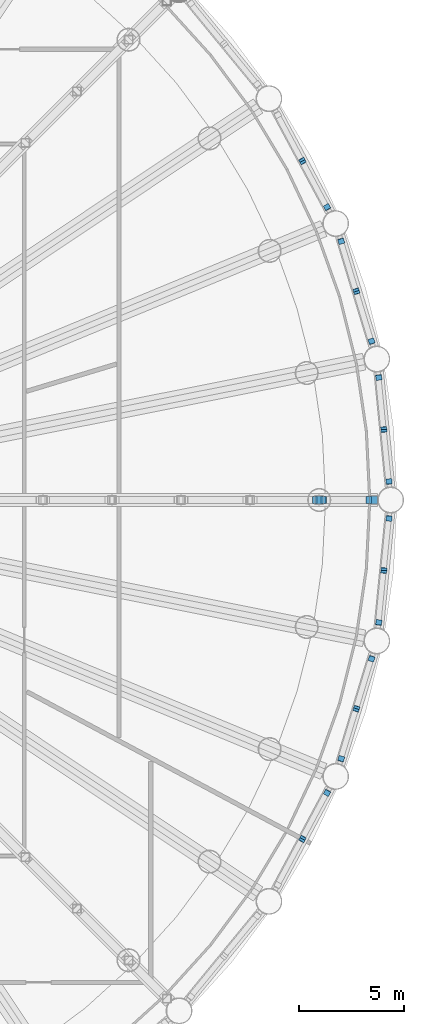
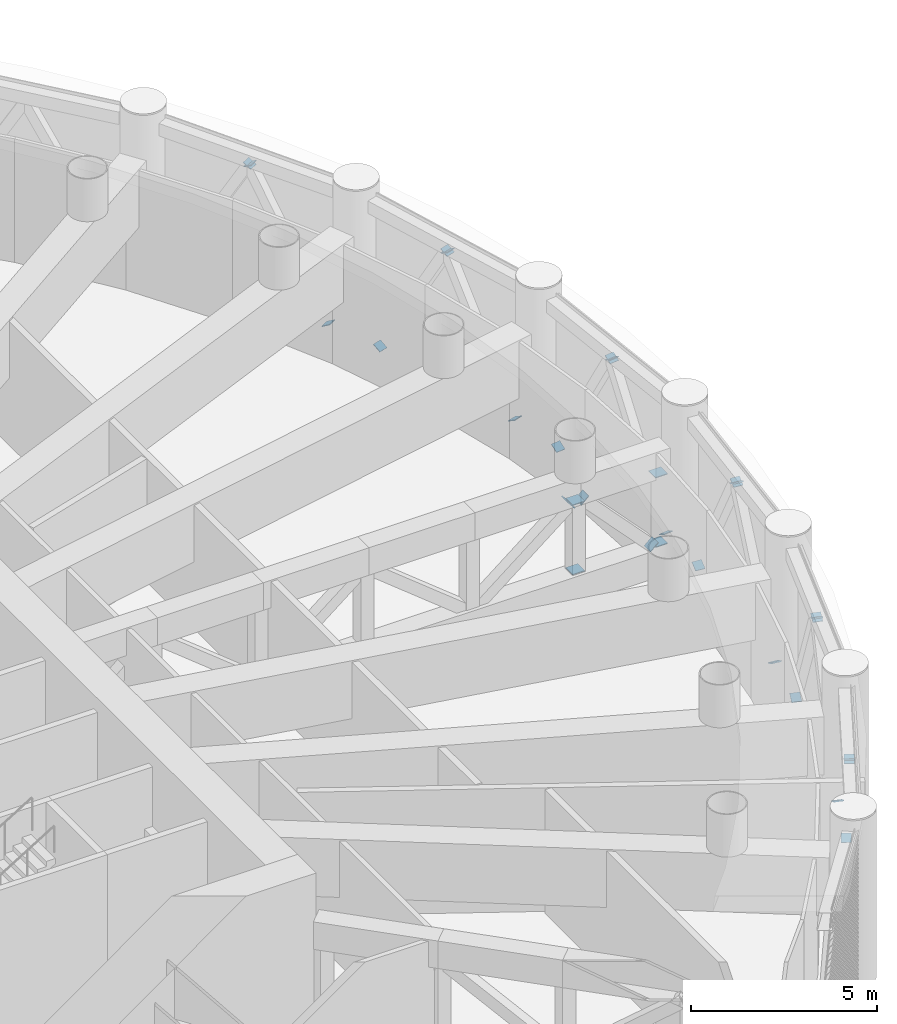
# One storey, part 20 of 29: 29 discrete accessories.
"""IFC4 building model written with IfcOpenShell, lengths in metres."""

from ifc_helpers import new_model, si_unit, direction, frame, origin, origin_2d, place, context, subcontext, project, spatial, rectangle, extrude, material, material_profile, profile_set, type_object, element, save


model = new_model("IFC4")

# Units and contexts
model_context = context("Model", 3, precision=1e-05, world=origin(), true_north=direction((0.0, 1.0)))
body_context = subcontext(model_context, "Body", "Model", "MODEL_VIEW")
ifc_project = project(units=[si_unit("LENGTHUNIT", "METRE"), si_unit("AREAUNIT", "SQUARE_METRE"), si_unit("VOLUMEUNIT", "CUBIC_METRE"), si_unit("PLANEANGLEUNIT", "RADIAN"), si_unit("MASSUNIT", "GRAM", prefix="KILO")], contexts=[model_context])

# Site, building, storey
site_placement = place(None, origin())
site = spatial("IfcSite", under=ifc_project, at=site_placement, CompositionType="ELEMENT")
building_placement = place(site_placement, origin())
building = spatial("IfcBuilding", under=site, at=building_placement, Name="Corvane Civic Tower", CompositionType="ELEMENT")
storey_placement = place(building_placement, frame((0.0, 0.0, 138.5)))
storey = spatial("IfcBuildingStorey", under=building, at=storey_placement, Name="L32", CompositionType="ELEMENT", Elevation=138.5)

# Discrete accessories
ifc_material_1 = material(Name="Steel ASTM A572 Gr 50", Category="steel")
ifc_material_profile_1 = material_profile(ifc_material_1, rectangle(XDim=0.2802734375, YDim=0.2802734375, at=origin_2d()), Name="GUSSET PLATE 25 IN HSS12X12X1/2")
ifc_profile_set_1 = profile_set([ifc_material_profile_1], Name="Steel ASTM A572 Gr 50")
discrete_accessory_type_1 = type_object("IfcDiscreteAccessoryType", Name="GUSSET PLATE 25 IN HSS12X12X1/2", PredefinedType="BRACKET", material=ifc_profile_set_1)
discrete_accessory_1_placement = place(storey_placement, frame((30.104248046875, 16.091064453125, 4.74365234375), z_axis=(-0.233971033255, 0.438695687352, -0.867642581652), x_axis=(-0.882352941176, -0.470588235294, 0.0)))
element("IfcDiscreteAccessory", 1, at=discrete_accessory_1_placement, inside=storey, type_object=discrete_accessory_type_1, Name="Gusset plate BD1 end B", PredefinedType="BRACKET", context=body_context, shape_type="SweptSolid", body=[
    extrude(rectangle(XDim=0.2802734375, YDim=0.2802734375, at=origin_2d()), origin(), (0.0, 0.0, 1.0), 0.025146484375),
])
discrete_accessory_2_placement = place(storey_placement, frame((31.276611328125, 13.897705078125, 0.406494140625), z_axis=(-0.2359641329, 0.442432749188, 0.865201820635), x_axis=(-0.882352941176, -0.470588235294, 0.0)))
element("IfcDiscreteAccessory", 2, at=discrete_accessory_2_placement, inside=storey, type_object=discrete_accessory_type_1, Name="Gusset plate BD1 end A", PredefinedType="BRACKET", context=body_context, shape_type="SweptSolid", body=[
    extrude(rectangle(XDim=0.2802734375, YDim=0.2802734375, at=origin_2d()), origin(), (0.0, 0.0, 1.0), 0.02490234375),
])
discrete_accessory_3_placement = place(storey_placement, frame((30.104248046875, 16.091064453125, 4.74365234375), z_axis=(0.233971033255, -0.438695687352, -0.867642581652), x_axis=(0.882352941176, 0.470588235294, 0.0)))
element("IfcDiscreteAccessory", 3, at=discrete_accessory_3_placement, inside=storey, type_object=discrete_accessory_type_1, Name="Gusset plate BD1 end B", PredefinedType="BRACKET", context=body_context, shape_type="SweptSolid", body=[
    extrude(rectangle(XDim=0.2802734375, YDim=0.2802734375, at=origin_2d()), origin(), (0.0, 0.0, 1.0), 0.025146484375),
])
discrete_accessory_4_placement = place(storey_placement, frame((31.94287109375, 12.28857421875, 0.406494140625), z_axis=(0.147993491061, -0.473579171394, 0.868228480888), x_axis=(0.954479978035, 0.298274993136, 0.0)))
element("IfcDiscreteAccessory", 4, at=discrete_accessory_4_placement, inside=storey, type_object=discrete_accessory_type_1, Name="Gusset plate BD1 end A", PredefinedType="BRACKET", context=body_context, shape_type="SweptSolid", body=[
    extrude(rectangle(XDim=0.2802734375, YDim=0.2802734375, at=origin_2d()), origin(), (0.0, 0.0, 1.0), 0.024658203125),
])
discrete_accessory_5_placement = place(storey_placement, frame((32.6650390625, 9.90869140625, 4.74365234375), z_axis=(-0.146058483139, 0.477124378254, -0.866613666624), x_axis=(-0.956199955507, -0.292714272094, 0.0)))
element("IfcDiscreteAccessory", 5, at=discrete_accessory_5_placement, inside=storey, type_object=discrete_accessory_type_1, Name="Gusset plate BD1 end B", PredefinedType="BRACKET", context=body_context, shape_type="SweptSolid", body=[
    extrude(rectangle(XDim=0.2802734375, YDim=0.2802734375, at=origin_2d()), origin(), (0.0, 0.0, 1.0), 0.025146484375),
])
discrete_accessory_6_placement = place(storey_placement, frame((33.386962890625, 7.529052734375, 0.406494140625), z_axis=(-0.147993491061, 0.473579171394, 0.868228480888), x_axis=(-0.954479978035, -0.298274993136, 0.0)))
element("IfcDiscreteAccessory", 6, at=discrete_accessory_6_placement, inside=storey, type_object=discrete_accessory_type_1, Name="Gusset plate BD1 end A", PredefinedType="BRACKET", context=body_context, shape_type="SweptSolid", body=[
    extrude(rectangle(XDim=0.2802734375, YDim=0.2802734375, at=origin_2d()), origin(), (0.0, 0.0, 1.0), 0.024658203125),
])
discrete_accessory_7_placement = place(storey_placement, frame((32.6650390625, 9.90869140625, 4.74365234375), z_axis=(0.137142902838, -0.470204238302, -0.871837025185), x_axis=(0.96, 0.28, 0.0)))
element("IfcDiscreteAccessory", 7, at=discrete_accessory_7_placement, inside=storey, type_object=discrete_accessory_type_1, Name="Gusset plate BD1 end B", PredefinedType="BRACKET", context=body_context, shape_type="SweptSolid", body=[
    extrude(rectangle(XDim=0.2802734375, YDim=0.2802734375, at=origin_2d()), origin(), (0.0, 0.0, 1.0), 0.02490234375),
])
discrete_accessory_8_placement = place(storey_placement, frame((33.7265625, 5.82080078125, 0.406494140625), z_axis=(0.049340770535, -0.493407705348, 0.868397561412), x_axis=(0.99503719021, 0.099503719021, 0.0)))
element("IfcDiscreteAccessory", 8, at=discrete_accessory_8_placement, inside=storey, type_object=discrete_accessory_type_1, Name="Gusset plate BD1 end A", PredefinedType="BRACKET", context=body_context, shape_type="SweptSolid", body=[
    extrude(rectangle(XDim=0.2802734375, YDim=0.2802734375, at=origin_2d()), origin(), (0.0, 0.0, 1.0), 0.024658203125),
])
discrete_accessory_9_placement = place(storey_placement, frame((33.970458984375, 3.345947265625, 4.74365234375), z_axis=(-0.048920962564, 0.489209625642, -0.870793133643), x_axis=(-0.99503719021, -0.099503719021, 0.0)))
element("IfcDiscreteAccessory", 9, at=discrete_accessory_9_placement, inside=storey, type_object=discrete_accessory_type_1, Name="Gusset plate BD1 end B", PredefinedType="BRACKET", context=body_context, shape_type="SweptSolid", body=[
    extrude(rectangle(XDim=0.2802734375, YDim=0.2802734375, at=origin_2d()), origin(), (0.0, 0.0, 1.0), 0.02490234375),
])
discrete_accessory_10_placement = place(storey_placement, frame((34.21435546875, 0.870849609375, 0.406494140625), z_axis=(-0.049340770535, 0.493407705348, 0.868397561412), x_axis=(-0.99503719021, -0.099503719021, 0.0)))
element("IfcDiscreteAccessory", 10, at=discrete_accessory_10_placement, inside=storey, type_object=discrete_accessory_type_1, Name="Gusset plate BD1 end A", PredefinedType="BRACKET", context=body_context, shape_type="SweptSolid", body=[
    extrude(rectangle(XDim=0.2802734375, YDim=0.2802734375, at=origin_2d()), origin(), (0.0, 0.0, 1.0), 0.024658203125),
])
discrete_accessory_11_placement = place(storey_placement, frame((33.970458984375, 3.345947265625, 4.74365234375), z_axis=(0.048686161046, -0.496598842672, -0.866613666624), x_axis=(0.99522852512, 0.097571424031, 0.0)))
element("IfcDiscreteAccessory", 11, at=discrete_accessory_11_placement, inside=storey, type_object=discrete_accessory_type_1, Name="Gusset plate BD1 end B", PredefinedType="BRACKET", context=body_context, shape_type="SweptSolid", body=[
    extrude(rectangle(XDim=0.2802734375, YDim=0.2802734375, at=origin_2d()), origin(), (0.0, 0.0, 1.0), 0.025146484375),
])
discrete_accessory_12_placement = place(storey_placement, frame((34.21435546875, -0.870849609375, 0.406494140625), z_axis=(-0.049340770535, -0.493407705348, 0.868397561412), x_axis=(0.99503719021, -0.099503719021, 0.0)))
element("IfcDiscreteAccessory", 12, at=discrete_accessory_12_placement, inside=storey, type_object=discrete_accessory_type_1, Name="Gusset plate BD1 end A", PredefinedType="BRACKET", context=body_context, shape_type="SweptSolid", body=[
    extrude(rectangle(XDim=0.2802734375, YDim=0.2802734375, at=origin_2d()), origin(), (0.0, 0.0, 1.0), 0.024658203125),
])
discrete_accessory_13_placement = place(storey_placement, frame((33.970458984375, -3.345947265625, 4.74365234375), z_axis=(0.048686161046, 0.496598842672, -0.866613666624), x_axis=(-0.99522852512, 0.097571424031, 0.0)))
element("IfcDiscreteAccessory", 13, at=discrete_accessory_13_placement, inside=storey, type_object=discrete_accessory_type_1, Name="Gusset plate BD1 end B", PredefinedType="BRACKET", context=body_context, shape_type="SweptSolid", body=[
    extrude(rectangle(XDim=0.2802734375, YDim=0.2802734375, at=origin_2d()), origin(), (0.0, 0.0, 1.0), 0.025146484375),
])
discrete_accessory_14_placement = place(storey_placement, frame((33.7265625, -5.82080078125, 0.406494140625), z_axis=(0.049340770535, 0.493407705348, 0.868397561412), x_axis=(-0.99503719021, 0.099503719021, 0.0)))
element("IfcDiscreteAccessory", 14, at=discrete_accessory_14_placement, inside=storey, type_object=discrete_accessory_type_1, Name="Gusset plate BD1 end A", PredefinedType="BRACKET", context=body_context, shape_type="SweptSolid", body=[
    extrude(rectangle(XDim=0.2802734375, YDim=0.2802734375, at=origin_2d()), origin(), (0.0, 0.0, 1.0), 0.024658203125),
])
discrete_accessory_15_placement = place(storey_placement, frame((33.970458984375, -3.345947265625, 4.74365234375), z_axis=(-0.048920962564, -0.489209625642, -0.870793133643), x_axis=(0.99503719021, -0.099503719021, 0.0)))
element("IfcDiscreteAccessory", 15, at=discrete_accessory_15_placement, inside=storey, type_object=discrete_accessory_type_1, Name="Gusset plate BD1 end B", PredefinedType="BRACKET", context=body_context, shape_type="SweptSolid", body=[
    extrude(rectangle(XDim=0.2802734375, YDim=0.2802734375, at=origin_2d()), origin(), (0.0, 0.0, 1.0), 0.02490234375),
])
discrete_accessory_16_placement = place(storey_placement, frame((33.386962890625, -7.529052734375, 0.406494140625), z_axis=(-0.147993491061, -0.473579171394, 0.868228480888), x_axis=(0.954479978035, -0.298274993136, 0.0)))
element("IfcDiscreteAccessory", 16, at=discrete_accessory_16_placement, inside=storey, type_object=discrete_accessory_type_1, Name="Gusset plate BD1 end A", PredefinedType="BRACKET", context=body_context, shape_type="SweptSolid", body=[
    extrude(rectangle(XDim=0.2802734375, YDim=0.2802734375, at=origin_2d()), origin(), (0.0, 0.0, 1.0), 0.024658203125),
])
discrete_accessory_17_placement = place(storey_placement, frame((32.6650390625, -9.90869140625, 4.74365234375), z_axis=(0.137142902838, 0.470204238302, -0.871837025185), x_axis=(-0.96, 0.28, 0.0)))
element("IfcDiscreteAccessory", 17, at=discrete_accessory_17_placement, inside=storey, type_object=discrete_accessory_type_1, Name="Gusset plate BD1 end B", PredefinedType="BRACKET", context=body_context, shape_type="SweptSolid", body=[
    extrude(rectangle(XDim=0.2802734375, YDim=0.2802734375, at=origin_2d()), origin(), (0.0, 0.0, 1.0), 0.02490234375),
])
discrete_accessory_18_placement = place(storey_placement, frame((31.94287109375, -12.28857421875, 0.406494140625), z_axis=(0.147993491061, 0.473579171394, 0.868228480888), x_axis=(-0.954479978035, 0.298274993136, 0.0)))
element("IfcDiscreteAccessory", 18, at=discrete_accessory_18_placement, inside=storey, type_object=discrete_accessory_type_1, Name="Gusset plate BD1 end A", PredefinedType="BRACKET", context=body_context, shape_type="SweptSolid", body=[
    extrude(rectangle(XDim=0.2802734375, YDim=0.2802734375, at=origin_2d()), origin(), (0.0, 0.0, 1.0), 0.024658203125),
])
discrete_accessory_19_placement = place(storey_placement, frame((32.6650390625, -9.90869140625, 4.74365234375), z_axis=(-0.146058483139, -0.477124378254, -0.866613666624), x_axis=(0.956199955507, -0.292714272094, 0.0)))
element("IfcDiscreteAccessory", 19, at=discrete_accessory_19_placement, inside=storey, type_object=discrete_accessory_type_1, Name="Gusset plate BD1 end B", PredefinedType="BRACKET", context=body_context, shape_type="SweptSolid", body=[
    extrude(rectangle(XDim=0.2802734375, YDim=0.2802734375, at=origin_2d()), origin(), (0.0, 0.0, 1.0), 0.025146484375),
])
discrete_accessory_20_placement = place(storey_placement, frame((31.276611328125, -13.897705078125, 0.406494140625), z_axis=(-0.2359641329, -0.442432749188, 0.865201820635), x_axis=(0.882352941176, -0.470588235294, 0.0)))
element("IfcDiscreteAccessory", 20, at=discrete_accessory_20_placement, inside=storey, type_object=discrete_accessory_type_1, Name="Gusset plate BD1 end A", PredefinedType="BRACKET", context=body_context, shape_type="SweptSolid", body=[
    extrude(rectangle(XDim=0.2802734375, YDim=0.2802734375, at=origin_2d()), origin(), (0.0, 0.0, 1.0), 0.02490234375),
])
for number, where, z_axis, x_axis, name in (
    (21, (30.104248046875, -16.091064453125, 4.74365234375), (0.233971033255, 0.438695687352, -0.867642581652), (-0.882352941176, 0.470588235294, 0.0), "Gusset plate BD1 end B"),
    (22, (30.104248046875, -16.091064453125, 4.74365234375), (-0.233971033255, -0.438695687352, -0.867642581652), (0.882352941176, -0.470588235294, 0.0), "Gusset plate BD1 end B"),
):
    element("IfcDiscreteAccessory", number, at=place(storey_placement, frame(where, z_axis=z_axis, x_axis=x_axis)), inside=storey, type_object=discrete_accessory_type_1, Name=name, PredefinedType="BRACKET", context=body_context, shape_type="SweptSolid", body=[
        extrude(rectangle(XDim=0.2802734375, YDim=0.2802734375, at=origin_2d()), origin(), (0.0, 0.0, 1.0), 0.025146484375),
    ])
ifc_material_2 = material(Name="Steel ASTM A572 Gr 50", Category="steel")
ifc_material_profile_2 = material_profile(ifc_material_2, rectangle(XDim=0.3310546875, YDim=0.3310546875, at=origin_2d()), Name="GUSSET PLATE 25 IN HSS14X14X1/2")
ifc_profile_set_2 = profile_set([ifc_material_profile_2], Name="Steel ASTM A572 Gr 50")
discrete_accessory_type_2 = type_object("IfcDiscreteAccessoryType", Name="GUSSET PLATE 25 IN HSS14X14X1/2", PredefinedType="BRACKET", material=ifc_profile_set_2)
for number, where, z_axis, x_axis, name in (
    (23, (30.69677734375, 0.0, 3.199951171875), (-0.780868809443, 0.0, -0.624695047554), (0.0, -1.0, 0.0), "Gusset plate OD1 end B"),
    (24, (31.103271484375, 0.0, 3.199951171875), (0.687199853876, 0.0, -0.726468416955), (0.0, 1.0, 0.0), "Gusset plate OD1 end A"),
):
    element("IfcDiscreteAccessory", number, at=place(storey_placement, frame(where, z_axis=z_axis, x_axis=x_axis)), inside=storey, type_object=discrete_accessory_type_2, Name=name, PredefinedType="BRACKET", context=body_context, shape_type="SweptSolid", body=[
        extrude(rectangle(XDim=0.3310546875, YDim=0.3310546875, at=origin_2d()), origin(), (0.0, 0.0, 1.0), 0.02490234375),
    ])
discrete_accessory_21_placement = place(storey_placement, frame((33.2685546875, 0.0, 0.89990234375), z_axis=(-0.68231825036, 0.0, 0.731055268243), x_axis=(0.0, -1.0, 0.0)))
element("IfcDiscreteAccessory", 25, at=discrete_accessory_21_placement, inside=storey, type_object=discrete_accessory_type_2, Name="Gusset plate OD1 end B", PredefinedType="BRACKET", context=body_context, shape_type="SweptSolid", body=[
    extrude(rectangle(XDim=0.3310546875, YDim=0.3310546875, at=origin_2d()), origin(), (0.0, 0.0, 1.0), 0.025146484375),
])
ifc_material_3 = material(Name="Steel ASTM A572 Gr 50", Category="steel")
ifc_material_profile_3 = material_profile(ifc_material_3, rectangle(XDim=0.3759765625, YDim=0.3759765625, at=origin_2d()), Name="GUSSET PLATE 25 IN HSS16X16X5/8")
ifc_profile_set_3 = profile_set([ifc_material_profile_3], Name="Steel ASTM A572 Gr 50")
discrete_accessory_type_3 = type_object("IfcDiscreteAccessoryType", Name="GUSSET PLATE 25 IN HSS16X16X5/8", PredefinedType="BRACKET", material=ifc_profile_set_3)
discrete_accessory_22_placement = place(storey_placement, frame((30.89990234375, 0.0, 0.89990234375), z_axis=(0.0, 0.0, 1.0), x_axis=(1.0, 0.0, 0.0)))
element("IfcDiscreteAccessory", 26, at=discrete_accessory_22_placement, inside=storey, type_object=discrete_accessory_type_3, Name="Gusset plate OP1 end A", PredefinedType="BRACKET", context=body_context, shape_type="SweptSolid", body=[
    extrude(rectangle(XDim=0.3759765625, YDim=0.3759765625, at=origin_2d()), origin(), (0.0, 0.0, 1.0), 0.025146484375),
])
discrete_accessory_23_placement = place(storey_placement, frame((30.89990234375, 0.0, 3.199951171875), z_axis=(0.0, 0.0, -1.0), x_axis=(1.0, 0.0, 0.0)))
element("IfcDiscreteAccessory", 27, at=discrete_accessory_23_placement, inside=storey, type_object=discrete_accessory_type_3, Name="Gusset plate OP1 end B", PredefinedType="BRACKET", context=body_context, shape_type="SweptSolid", body=[
    extrude(rectangle(XDim=0.3759765625, YDim=0.3759765625, at=origin_2d()), origin(), (0.0, 0.0, 1.0), 0.02490234375),
])
discrete_accessory_24_placement = place(storey_placement, frame((33.4716796875, 0.0, 0.89990234375), z_axis=(0.0, 0.0, 1.0), x_axis=(1.0, 0.0, 0.0)))
element("IfcDiscreteAccessory", 28, at=discrete_accessory_24_placement, inside=storey, type_object=discrete_accessory_type_3, Name="Gusset plate OP1 end A", PredefinedType="BRACKET", context=body_context, shape_type="SweptSolid", body=[
    extrude(rectangle(XDim=0.3759765625, YDim=0.3759765625, at=origin_2d()), origin(), (0.0, 0.0, 1.0), 0.025146484375),
])
discrete_accessory_25_placement = place(storey_placement, frame((33.4716796875, 0.0, 3.199951171875), z_axis=(0.0, 0.0, -1.0), x_axis=(1.0, 0.0, 0.0)))
element("IfcDiscreteAccessory", 29, at=discrete_accessory_25_placement, inside=storey, type_object=discrete_accessory_type_3, Name="Gusset plate OP1 end B", PredefinedType="BRACKET", context=body_context, shape_type="SweptSolid", body=[
    extrude(rectangle(XDim=0.3759765625, YDim=0.3759765625, at=origin_2d()), origin(), (0.0, 0.0, 1.0), 0.02490234375),
])

save(model, "model.ifc")
